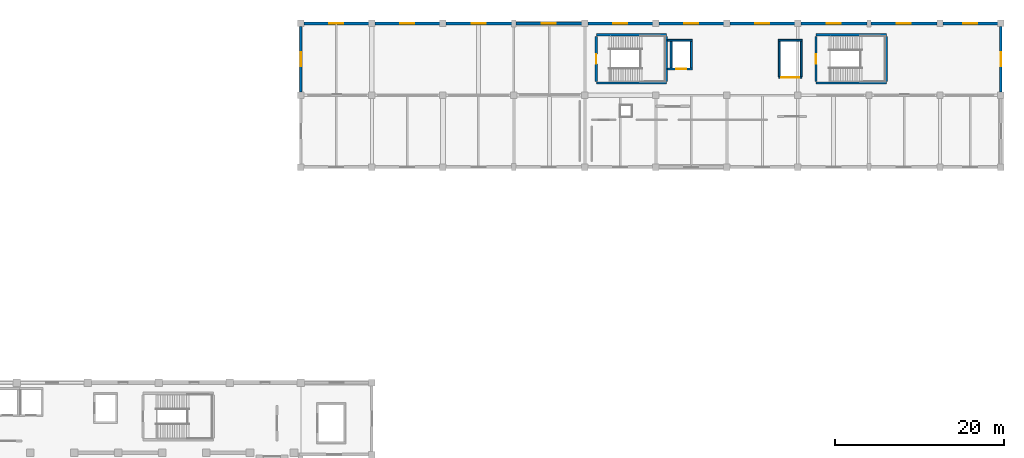
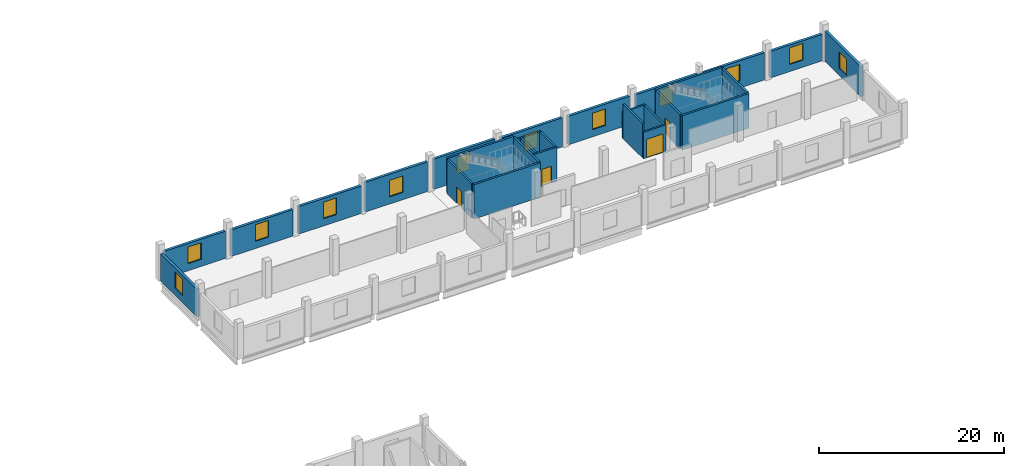
# One storey, part 68 of 77: 28 walls, 12 windows, 4 doors, 16 openings.
"""IFC4 building model written with IfcOpenShell, lengths in metres."""

import ifcopenshell
import ifcopenshell.guid

model = None  # the IFC model being written
_history = None  # IfcOwnerHistory: only IFC2X3 demands one
_inside = {}  # id of a spatial element -> (the spatial element, [elements in it])
_under = {}  # id of a project, library or spatial element -> (it, [spatial elements below it])
_declared = {}  # id of a project -> (the project, [libraries it declares])
_typed = {}  # id of a type object -> (the type object, [elements of that type])
_made_of = {}  # id of a material, layer set ... -> (it, [elements and type objects made of it])


def new_model(schema):
    """Start an empty IFC model of exactly this schema.

    Asked for "IFC4X3", IfcOpenShell would pick the latest addendum, in which some entities
    have other attributes; the version numbers below select the first issue.
    IFC2X3 requires an IfcOwnerHistory on every rooted entity: one is made here for all.
    """
    global model, _history
    if schema == "IFC4X3":
        model = ifcopenshell.file(schema_version=(4, 3, 0, 0))
    else:
        model = ifcopenshell.file(schema=schema)
    _inside.clear()
    _under.clear()
    _declared.clear()
    _typed.clear()
    _made_of.clear()
    _history = None
    if model.schema == "IFC2X3":
        org = make("IfcOrganization", Name="unknown")
        user = make(
            "IfcPersonAndOrganization",
            ThePerson=make("IfcPerson", FamilyName="unknown"),
            TheOrganization=org,
        )
        app = make(
            "IfcApplication",
            ApplicationDeveloper=org,
            Version="unknown",
            ApplicationFullName="unknown",
            ApplicationIdentifier="unknown",
        )
        _history = make(
            "IfcOwnerHistory",
            OwningUser=user,
            OwningApplication=app,
            ChangeAction="ADDED",
            CreationDate=0,
        )
    return model


def make(cls, **values):
    """One entity of the class cls with the attributes given. An attribute that is None is left unset."""
    return model.create_entity(
        cls, **{name: value for name, value in values.items() if value is not None}
    )


def rooted(cls, **values):
    """An entity with a GlobalId (a new one), such as an element, a storey or a relation."""
    return make(cls, GlobalId=ifcopenshell.guid.new(), OwnerHistory=_history, **values)


def si_unit(unit_type, name, prefix=None):
    """IfcSIUnit, for example si_unit("LENGTHUNIT", "METRE", prefix="MILLI")."""
    return make("IfcSIUnit", UnitType=unit_type, Prefix=prefix, Name=name)


def assignment(units):
    """IfcUnitAssignment: the units of a project."""
    return None if units is None else make("IfcUnitAssignment", Units=units)


def point(xyz):
    """IfcCartesianPoint."""
    return None if xyz is None else make("IfcCartesianPoint", Coordinates=xyz)


def direction(xyz):
    """IfcDirection."""
    return None if xyz is None else make("IfcDirection", DirectionRatios=xyz)


def frame(location, z_axis=None, x_axis=None):
    """IfcAxis2Placement3D, a coordinate frame: its origin and axes. An axis left out is left unset."""
    return make(
        "IfcAxis2Placement3D",
        Location=point(location),
        Axis=direction(z_axis),
        RefDirection=direction(x_axis),
    )


def frame_2d(location, x_axis=None):
    """IfcAxis2Placement2D, a coordinate frame in the plane: its origin and x axis."""
    return make(
        "IfcAxis2Placement2D", Location=point(location), RefDirection=direction(x_axis)
    )


def origin():
    """The frame at (0, 0, 0) with its axes left unset."""
    return frame((0.0, 0.0, 0.0))


def place(relative_to, where):
    """IfcLocalPlacement: puts the frame where relative to a parent placement (None: the world)."""
    return make(
        "IfcLocalPlacement", PlacementRelTo=relative_to, RelativePlacement=where
    )


def context(
    kind, dimensions, precision=None, world=None, true_north=None, identifier=None
):
    """IfcGeometricRepresentationContext, for example the 3D "Model" context."""
    return make(
        "IfcGeometricRepresentationContext",
        ContextIdentifier=identifier,
        ContextType=kind,
        CoordinateSpaceDimension=dimensions,
        Precision=precision,
        WorldCoordinateSystem=world,
        TrueNorth=true_north,
    )


def subcontext(parent, identifier, kind, view, scale=None):
    """IfcGeometricRepresentationSubContext, for example "Body" below "Model"."""
    return make(
        "IfcGeometricRepresentationSubContext",
        ContextIdentifier=identifier,
        ContextType=kind,
        ParentContext=parent,
        TargetScale=scale,
        TargetView=view,
    )


def project(units=None, contexts=None):
    """IfcProject with its units and contexts."""
    return rooted(
        "IfcProject",
        Name="project",
        RepresentationContexts=contexts,
        UnitsInContext=assignment(units),
    )


def spatial(cls, under=None, at=None, **own):
    """A site, building, storey or space (cls), placed at a placement, below another one or the project."""
    s = rooted(cls, ObjectPlacement=at, **own)
    if under is not None:
        _under.setdefault(under.id(), (under, []))[1].append(s)
    return s


def profile(cls, at=None, kind="AREA", **sizes):
    """A parametric profile (cls). Its sizes go by their IFC names, for example OverallWidth=200.0."""
    return make(cls, ProfileType=kind, Position=at, **sizes)


def rectangle(**sizes):
    """IfcRectangleProfileDef."""
    return profile("IfcRectangleProfileDef", **sizes)


def extrude(swept, where, along, depth):
    """IfcExtrudedAreaSolid: the profile swept, set in the frame where, extruded along a direction by depth."""
    return make(
        "IfcExtrudedAreaSolid",
        SweptArea=swept,
        Position=where,
        ExtrudedDirection=direction(along),
        Depth=depth,
    )


def shape(context_of_items, identifier, shape_type, items):
    """IfcShapeRepresentation: the items that make up one representation, for example the "Body"."""
    return make(
        "IfcShapeRepresentation",
        ContextOfItems=context_of_items,
        RepresentationIdentifier=identifier,
        RepresentationType=shape_type,
        Items=items,
    )


def material(Name=None, Category=None):
    """IfcMaterial."""
    return make("IfcMaterial", Name=Name, Category=Category)


def layer(
    of_material, thickness, ventilated=None, Name=None, Category=None, Priority=None
):
    """IfcMaterialLayer: one layer of a wall or slab, of a material (None: an air gap)."""
    return make(
        "IfcMaterialLayer",
        Material=of_material,
        LayerThickness=thickness,
        IsVentilated=ventilated,
        Name=Name,
        Category=Category,
        Priority=Priority,
    )


def layer_set(layers, Name=None):
    """IfcMaterialLayerSet."""
    return make("IfcMaterialLayerSet", MaterialLayers=layers, LayerSetName=Name)


def made_of(thing, what):
    """Note that an element or type object is made of a material, layer set ...; save() writes the relation."""
    if what is not None:
        _made_of.setdefault(what.id(), (what, []))[1].append(thing)
    return thing


def type_object(cls, material=None, **own):
    """A type object (cls), such as IfcWallType, which elements share."""
    return made_of(rooted(cls, **own), material)


def element(
    cls,
    number,
    at=None,
    inside=None,
    cuts=None,
    type_object=None,
    material=None,
    context=None,
    identifier="Body",
    shape_type=None,
    held_by="IfcProductDefinitionShape",
    body=None,
    shapes=None,
    **own,
):
    """One element of the class cls, such as IfcWall. Its Tag is "e" and its number.

    at: its placement. inside: the storey or other place that contains it. cuts: it is an
    opening in that element (IfcRelVoidsElement). A single representation is given by context,
    identifier, shape_type and body (its items); several are given by shapes. held_by: the class
    of the entity that holds the representations. save() writes the other relations.
    """
    e = rooted(cls, Tag="e%d" % number, ObjectPlacement=at, **own)
    if body is not None:
        shapes = [shape(context, identifier, shape_type, body)]
    if shapes is not None:
        e.Representation = make(held_by, Representations=shapes)
    if inside is not None:
        _inside.setdefault(inside.id(), (inside, []))[1].append(e)
    if cuts is not None:
        rooted(
            "IfcRelVoidsElement", RelatingBuildingElement=cuts, RelatedOpeningElement=e
        )
    if type_object is not None:
        _typed.setdefault(type_object.id(), (type_object, []))[1].append(e)
    return made_of(e, material)


def fill(opening, filler):
    """IfcRelFillsElement: the door or window that sits in an opening."""
    return rooted(
        "IfcRelFillsElement",
        RelatingOpeningElement=opening,
        RelatedBuildingElement=filler,
    )


def aggregate(whole, parts):
    """IfcRelAggregates: a whole, such as a stair, and the parts it consists of."""
    return rooted("IfcRelAggregates", RelatingObject=whole, RelatedObjects=parts)


def save(model, path):
    """Write the relations noted so far, then the file.

    IfcRelAggregates (storeys below a building ...), IfcRelContainedInSpatialStructure (elements
    in a storey), IfcRelDefinesByType, IfcRelAssociatesMaterial and IfcRelDeclares: one each for
    every whole, place, type object, material and project.
    """
    for whole, parts in _under.values():
        aggregate(whole, parts)
    for where, things in _inside.values():
        rooted(
            "IfcRelContainedInSpatialStructure",
            RelatedElements=things,
            RelatingStructure=where,
        )
    for kind, things in _typed.values():
        rooted("IfcRelDefinesByType", RelatedObjects=things, RelatingType=kind)
    for what, things in _made_of.values():
        rooted("IfcRelAssociatesMaterial", RelatedObjects=things, RelatingMaterial=what)
    for by, libraries in _declared.values():
        rooted("IfcRelDeclares", RelatingContext=by, RelatedDefinitions=libraries)
    model.write(path)


model = new_model("IFC4")

# Units and contexts
model_context = context("Model", 3, precision=1e-05, world=origin(), true_north=direction((0.0, 1.0)))
body_context = subcontext(model_context, "Body", "Model", "MODEL_VIEW")
ifc_project = project(units=[si_unit("LENGTHUNIT", "METRE"), si_unit("AREAUNIT", "SQUARE_METRE"), si_unit("VOLUMEUNIT", "CUBIC_METRE"), si_unit("PLANEANGLEUNIT", "RADIAN"), si_unit("MASSUNIT", "GRAM", prefix="KILO")], contexts=[model_context])

# Site, building, storey
site_placement = place(None, origin())
site = spatial("IfcSite", under=ifc_project, at=site_placement, CompositionType="ELEMENT")
building_placement = place(site_placement, origin())
building = spatial("IfcBuilding", under=site, at=building_placement, Name="Solvento Point Concert Hall", CompositionType="ELEMENT")
storey_placement = place(building_placement, frame((0.0, 0.0, 10.199951171875)))
storey = spatial("IfcBuildingStorey", under=building, at=storey_placement, Name="L02", CompositionType="ELEMENT", Elevation=10.199951171875)

# Walls
ifc_material_1 = material(Name="Concrete C40/50", Category="concrete")
ifc_layer_1 = layer(ifc_material_1, 0.300048828125)
ifc_layer_set_1 = layer_set([ifc_layer_1], Name="Concrete C40/50")
wall_type_1 = type_object("IfcWallType", Name="CoreShearWall_300", PredefinedType="SHEAR", material=ifc_layer_set_1)
for number, where, z_axis, x_axis, name in (
    (1, (176.449951171875, 128.949951171875, 0.0), (0.0, 0.0, 1.0), (-1.0, 0.0, 0.0), "Stair core shear wall W-SH1 ST-01 L02"),
    (2, (168.14990234375, 134.64990234375, 0.0), (0.0, 0.0, 1.0), (1.0, 0.0, 0.0), "Stair core shear wall W-SH1 ST-01 L02"),
):
    element("IfcWall", number, at=place(storey_placement, frame(where, z_axis=z_axis, x_axis=x_axis)), inside=storey, type_object=wall_type_1, Name=name, PredefinedType="SHEAR", context=body_context, shape_type="SweptSolid", body=[
        extrude(rectangle(XDim=8.300048828125, YDim=0.25, at=frame_2d((4.14990234375, 0.0))), origin(), (0.0, 0.0, 1.0), 4.5400390625),
    ])

# Wall, opening, door
wall_1_placement = place(storey_placement, frame((168.14990234375, 129.14990234375, 0.0), z_axis=(0.0, 0.0, 1.0), x_axis=(0.0, 1.0, 0.0)))
wall_1 = element("IfcWall", 3, at=wall_1_placement, inside=storey, type_object=wall_type_1, Name="Stair core shear wall W-SH1 ST-01 L02", PredefinedType="SHEAR", context=body_context, shape_type="SweptSolid", body=[
    extrude(rectangle(XDim=5.300048828125, YDim=0.25, at=frame_2d((2.64990234375, 0.0))), origin(), (0.0, 0.0, 1.0), 4.5400390625),
])
opening_1_placement = place(wall_1_placement, frame((2.074951171875, 0.0, 0.0)))
opening_1 = element("IfcOpeningElement", 4, at=opening_1_placement, cuts=wall_1, Name="Opening D-ST1", PredefinedType="OPENING", context=body_context, shape_type="SweptSolid", body=[
    extrude(rectangle(XDim=1.14990234375, YDim=2.179931640625, at=frame_2d((0.574951171875, 1.08984375))), frame((0.0, 0.135009765625, 0.0), z_axis=(0.0, -1.0, 0.0), x_axis=(1.0, 0.0, 0.0)), (0.0, 0.0, 1.0), 0.27001953125),
])
ifc_material_2 = material(Name="Hollow Metal Acoustic Fire Door")
door_type_1 = type_object("IfcDoorType", Name="StairFireDoor_1150", OperationType="NOTDEFINED", PredefinedType="DOOR", material=ifc_material_2)
door_1_placement = place(opening_1_placement, origin())
door_1 = element("IfcDoor", 5, at=door_1_placement, inside=storey, type_object=door_type_1, Name="Protected exit stair door ST-01 L02", OperationType="SINGLE_SWING_RIGHT", OverallHeight=2.179931640625, OverallWidth=1.14990234375, PredefinedType="DOOR", context=body_context, shape_type="SweptSolid", body=[
    extrude(rectangle(XDim=1.14990234375, YDim=2.179931640625, at=frame_2d((0.574951171875, 1.08984375))), frame((0.0, 0.02490234375, 0.0), z_axis=(0.0, -1.0, 0.0), x_axis=(1.0, 0.0, 0.0)), (0.0, 0.0, 1.0), 0.050048828125),
])
fill(opening_1, door_1)

# Walls
wall_2_placement = place(storey_placement, frame((176.449951171875, 134.449951171875, 0.0), z_axis=(0.0, 0.0, 1.0), x_axis=(0.0, -1.0, 0.0)))
element("IfcWall", 6, at=wall_2_placement, inside=storey, type_object=wall_type_1, Name="Stair core shear wall W-SH1 ST-01 L02", PredefinedType="SHEAR", context=body_context, shape_type="SweptSolid", body=[
    extrude(rectangle(XDim=5.300048828125, YDim=0.25, at=frame_2d((2.64990234375, 0.0))), origin(), (0.0, 0.0, 1.0), 4.5400390625),
])
for number, where, z_axis, x_axis, name in (
    (7, (202.449951171875, 128.949951171875, 0.0), (0.0, 0.0, 1.0), (-1.0, 0.0, 0.0), "Stair core shear wall W-SH1 ST-02 L02"),
    (8, (194.14990234375, 134.64990234375, 0.0), (0.0, 0.0, 1.0), (1.0, 0.0, 0.0), "Stair core shear wall W-SH1 ST-02 L02"),
):
    element("IfcWall", number, at=place(storey_placement, frame(where, z_axis=z_axis, x_axis=x_axis)), inside=storey, type_object=wall_type_1, Name=name, PredefinedType="SHEAR", context=body_context, shape_type="SweptSolid", body=[
        extrude(rectangle(XDim=8.300048828125, YDim=0.25, at=frame_2d((4.14990234375, 0.0))), origin(), (0.0, 0.0, 1.0), 4.5400390625),
    ])

# Wall, opening, door
wall_3_placement = place(storey_placement, frame((194.14990234375, 129.14990234375, 0.0), z_axis=(0.0, 0.0, 1.0), x_axis=(0.0, 1.0, 0.0)))
wall_3 = element("IfcWall", 9, at=wall_3_placement, inside=storey, type_object=wall_type_1, Name="Stair core shear wall W-SH1 ST-02 L02", PredefinedType="SHEAR", context=body_context, shape_type="SweptSolid", body=[
    extrude(rectangle(XDim=5.300048828125, YDim=0.25, at=frame_2d((2.64990234375, 0.0))), origin(), (0.0, 0.0, 1.0), 4.5400390625),
])
opening_2_placement = place(wall_3_placement, frame((2.074951171875, 0.0, 0.0)))
opening_2 = element("IfcOpeningElement", 10, at=opening_2_placement, cuts=wall_3, Name="Opening D-ST1", PredefinedType="OPENING", context=body_context, shape_type="SweptSolid", body=[
    extrude(rectangle(XDim=1.14990234375, YDim=2.179931640625, at=frame_2d((0.574951171875, 1.08984375))), frame((0.0, 0.135009765625, 0.0), z_axis=(0.0, -1.0, 0.0), x_axis=(1.0, 0.0, 0.0)), (0.0, 0.0, 1.0), 0.27001953125),
])
door_2_placement = place(opening_2_placement, origin())
door_2 = element("IfcDoor", 11, at=door_2_placement, inside=storey, type_object=door_type_1, Name="Protected exit stair door ST-02 L02", OperationType="SINGLE_SWING_LEFT", OverallHeight=2.179931640625, OverallWidth=1.14990234375, PredefinedType="DOOR", context=body_context, shape_type="SweptSolid", body=[
    extrude(rectangle(XDim=1.14990234375, YDim=2.179931640625, at=frame_2d((0.574951171875, 1.08984375))), frame((0.0, 0.02490234375, 0.0), z_axis=(0.0, -1.0, 0.0), x_axis=(1.0, 0.0, 0.0)), (0.0, 0.0, 1.0), 0.050048828125),
])
fill(opening_2, door_2)

# Wall
wall_4_placement = place(storey_placement, frame((202.449951171875, 134.449951171875, 0.0), z_axis=(0.0, 0.0, 1.0), x_axis=(0.0, -1.0, 0.0)))
element("IfcWall", 12, at=wall_4_placement, inside=storey, type_object=wall_type_1, Name="Stair core shear wall W-SH1 ST-02 L02", PredefinedType="SHEAR", context=body_context, shape_type="SweptSolid", body=[
    extrude(rectangle(XDim=5.300048828125, YDim=0.25, at=frame_2d((2.64990234375, 0.0))), origin(), (0.0, 0.0, 1.0), 4.5400390625),
])

# Wall, opening, door
wall_5_placement = place(storey_placement, frame((176.574951171875, 130.60009765625, 0.0), z_axis=(0.0, 0.0, 1.0), x_axis=(1.0, 0.0, 0.0)))
wall_5 = element("IfcWall", 13, at=wall_5_placement, inside=storey, type_object=wall_type_1, Name="Elevator shaft shear wall W-SH1 LF-01 L02", PredefinedType="SHEAR", context=body_context, shape_type="SweptSolid", body=[
    extrude(rectangle(XDim=2.93505859375, YDim=0.219970703125, at=frame_2d((1.467529296875, 0.0))), origin(), (0.0, 0.0, 1.0), 4.5400390625),
])
opening_3_placement = place(wall_5_placement, frame((1.02490234375, 0.0, 0.0)))
opening_3 = element("IfcOpeningElement", 14, at=opening_3_placement, cuts=wall_5, Name="Opening LD-01", PredefinedType="OPENING", context=body_context, shape_type="SweptSolid", body=[
    extrude(rectangle(XDim=1.199951171875, YDim=2.25, at=frame_2d((0.60009765625, 1.125))), frame((0.0, 0.119873046875, 0.0), z_axis=(0.0, -1.0, 0.0), x_axis=(1.0, 0.0, 0.0)), (0.0, 0.0, 1.0), 0.239990234375),
])
ifc_material_3 = material(Name="Hollow Metal Acoustic Fire Door")
door_type_2 = type_object("IfcDoorType", Name="LiftLandingDoor_FF", OperationType="SLIDING_TO_LEFT", PredefinedType="DOOR", material=ifc_material_3)
door_3_placement = place(opening_3_placement, origin())
door_3 = element("IfcDoor", 15, at=door_3_placement, inside=storey, type_object=door_type_2, Name="Elevator landing door LF-01 L02", OperationType="SLIDING_TO_LEFT", OverallHeight=2.25, OverallWidth=1.199951171875, PredefinedType="DOOR", context=body_context, shape_type="SweptSolid", body=[
    extrude(rectangle(XDim=1.199951171875, YDim=2.25, at=frame_2d((0.60009765625, 1.125))), frame((0.0, 0.02490234375, 0.0), z_axis=(0.0, -1.0, 0.0), x_axis=(1.0, 0.0, 0.0)), (0.0, 0.0, 1.0), 0.050048828125),
])
fill(opening_3, door_3)

# Walls
wall_6_placement = place(storey_placement, frame((176.574951171875, 134.0, 0.0), z_axis=(0.0, 0.0, 1.0), x_axis=(1.0, 0.0, 0.0)))
element("IfcWall", 16, at=wall_6_placement, inside=storey, type_object=wall_type_1, Name="Elevator shaft shear wall W-SH1 LF-01 L02", PredefinedType="SHEAR", context=body_context, shape_type="SweptSolid", body=[
    extrude(rectangle(XDim=2.93505859375, YDim=0.219970703125, at=frame_2d((1.467529296875, 0.0))), origin(), (0.0, 0.0, 1.0), 4.5400390625),
])
for number, where, z_axis, x_axis, name in (
    (17, (177.0, 130.7099609375, 0.0), (0.0, 0.0, 1.0), (0.0, 1.0, 0.0), "Elevator shaft shear wall W-SH1 LF-01 L02"),
    (18, (179.39990234375, 130.7099609375, 0.0), (0.0, 0.0, 1.0), (0.0, 1.0, 0.0), "Elevator shaft shear wall W-SH1 LF-01 L02"),
):
    element("IfcWall", number, at=place(storey_placement, frame(where, z_axis=z_axis, x_axis=x_axis)), inside=storey, type_object=wall_type_1, Name=name, PredefinedType="SHEAR", context=body_context, shape_type="SweptSolid", body=[
        extrude(rectangle(XDim=3.179931640625, YDim=0.219970703125, at=frame_2d((1.58984375, 0.0))), origin(), (0.0, 0.0, 1.0), 4.5400390625),
    ])

# Wall, opening, door
wall_7_placement = place(storey_placement, frame((189.68994140625, 129.60009765625, 0.0), z_axis=(0.0, 0.0, 1.0), x_axis=(1.0, 0.0, 0.0)))
wall_7 = element("IfcWall", 19, at=wall_7_placement, inside=storey, type_object=wall_type_1, Name="Elevator shaft shear wall W-SH1 LG-02 L02", PredefinedType="SHEAR", context=body_context, shape_type="SweptSolid", body=[
    extrude(rectangle(XDim=2.820068359375, YDim=0.219970703125, at=frame_2d((1.41015625, 0.0))), origin(), (0.0, 0.0, 1.0), 3.498046875),
])
opening_4_placement = place(wall_7_placement, frame((0.360107421875, 0.0, 0.0)))
opening_4 = element("IfcOpeningElement", 20, at=opening_4_placement, cuts=wall_7, Name="Opening LD-03", PredefinedType="OPENING", context=body_context, shape_type="SweptSolid", body=[
    extrude(rectangle(XDim=2.10009765625, YDim=2.449951171875, at=frame_2d((1.050048828125, 1.22509765625))), frame((0.0, 0.119873046875, 0.0), z_axis=(0.0, -1.0, 0.0), x_axis=(1.0, 0.0, 0.0)), (0.0, 0.0, 1.0), 0.239990234375),
])
ifc_material_4 = material(Name="Hollow Metal Acoustic Fire Door")
door_type_3 = type_object("IfcDoorType", Name="LiftLandingDoor_Goods", OperationType="DOUBLE_DOOR_SLIDING", PredefinedType="DOOR", material=ifc_material_4)
door_4_placement = place(opening_4_placement, origin())
door_4 = element("IfcDoor", 21, at=door_4_placement, inside=storey, type_object=door_type_3, Name="Elevator landing door LG-02 L02", OperationType="DOUBLE_DOOR_SLIDING", OverallHeight=2.449951171875, OverallWidth=2.10009765625, PredefinedType="DOOR", context=body_context, shape_type="SweptSolid", body=[
    extrude(rectangle(XDim=2.10009765625, YDim=2.449951171875, at=frame_2d((1.050048828125, 1.22509765625))), frame((0.0, 0.02490234375, 0.0), z_axis=(0.0, -1.0, 0.0), x_axis=(1.0, 0.0, 0.0)), (0.0, 0.0, 1.0), 0.050048828125),
])
fill(opening_4, door_4)

# Walls
wall_8_placement = place(storey_placement, frame((189.68994140625, 134.0, 0.0), z_axis=(0.0, 0.0, 1.0), x_axis=(1.0, 0.0, 0.0)))
element("IfcWall", 22, at=wall_8_placement, inside=storey, type_object=wall_type_1, Name="Elevator shaft shear wall W-SH1 LG-02 L02", PredefinedType="SHEAR", context=body_context, shape_type="SweptSolid", body=[
    extrude(rectangle(XDim=2.820068359375, YDim=0.219970703125, at=frame_2d((1.41015625, 0.0))), origin(), (0.0, 0.0, 1.0), 3.498046875),
])
wall_9_placement = place(storey_placement, frame((189.800048828125, 129.7099609375, 0.0), z_axis=(0.0, 0.0, 1.0), x_axis=(0.0, 1.0, 0.0)))
element("IfcWall", 23, at=wall_9_placement, inside=storey, type_object=wall_type_1, Name="Elevator shaft shear wall W-SH1 LG-02 L02", PredefinedType="SHEAR", context=body_context, shape_type="SweptSolid", body=[
    extrude(rectangle(XDim=4.179931640625, YDim=0.219970703125, at=frame_2d((2.08984375, 0.0))), origin(), (0.0, 0.0, 1.0), 4.5400390625),
])
wall_10_placement = place(storey_placement, frame((192.39990234375, 129.7099609375, 0.0), z_axis=(0.0, 0.0, 1.0), x_axis=(0.0, 1.0, 0.0)))
element("IfcWall", 24, at=wall_10_placement, inside=storey, type_object=wall_type_1, Name="Elevator shaft shear wall W-SH1 LG-02 L02", PredefinedType="SHEAR", context=body_context, shape_type="SweptSolid", body=[
    extrude(rectangle(XDim=4.179931640625, YDim=0.219970703125, at=frame_2d((2.08984375, 0.0))), origin(), (0.0, 0.0, 1.0), 3.498046875),
])

# Wall, opening, window
ifc_material_5 = material(Name="Concrete C35/45", Category="concrete")
ifc_layer_2 = layer(ifc_material_5, 0.330078125)
ifc_layer_set_2 = layer_set([ifc_layer_2], Name="Concrete C35/45")
wall_type_2 = type_object("IfcWallType", Name="ExtWall_V5_Plinth_330", PredefinedType="SOLIDWALL", material=ifc_layer_set_2)
wall_11_placement = place(storey_placement, frame((133.199951171875, 127.85498046875, 0.0), z_axis=(0.0, 0.0, 1.0), x_axis=(0.0, 1.0, 0.0)))
wall_11 = element("IfcWall", 25, at=wall_11_placement, inside=storey, type_object=wall_type_2, Name="Exterior architectural concrete wall EW-72 L02", PredefinedType="SOLIDWALL", context=body_context, shape_type="SweptSolid", body=[
    extrude(rectangle(XDim=7.7900390625, YDim=0.330078125, at=frame_2d((3.89501953125, 0.0))), origin(), (0.0, 0.0, 1.0), 3.6240234375),
])
opening_5_placement = place(wall_11_placement, frame((3.070068359375, 0.0, 0.949951171875)))
opening_5 = element("IfcOpeningElement", 26, at=opening_5_placement, cuts=wall_11, Name="Opening WN-22", PredefinedType="OPENING", context=body_context, shape_type="SweptSolid", body=[
    extrude(rectangle(XDim=1.64990234375, YDim=2.179931640625, at=frame_2d((0.824951171875, 1.08984375))), frame((0.0, 0.175048828125, 0.0), z_axis=(0.0, -1.0, 0.0), x_axis=(1.0, 0.0, 0.0)), (0.0, 0.0, 1.0), 0.35009765625),
])
ifc_material_6 = material(Name="Hurricane Laminated Low-E Glass", Category="glass")
window_type = type_object("IfcWindowType", Name="Win_V5_ChorusDress_L02", PartitioningType="SINGLE_PANEL", PredefinedType="WINDOW", material=ifc_material_6)
window_1_placement = place(opening_5_placement, origin())
window_1 = element("IfcWindow", 27, at=window_1_placement, inside=storey, type_object=window_type, Name="Impact acoustic window WN-22", OverallHeight=2.179931640625, OverallWidth=1.64990234375, PartitioningType="SINGLE_PANEL", PredefinedType="WINDOW", context=body_context, shape_type="SweptSolid", body=[
    extrude(rectangle(XDim=1.64990234375, YDim=2.179931640625, at=frame_2d((0.824951171875, 1.08984375))), frame((0.0, 0.030029296875, 0.0), z_axis=(0.0, -1.0, 0.0), x_axis=(1.0, 0.0, 0.0)), (0.0, 0.0, 1.0), 0.06005859375),
])
fill(opening_5, window_1)

wall_12_placement = place(storey_placement, frame((133.554931640625, 136.0, 0.0), z_axis=(0.0, 0.0, 1.0), x_axis=(1.0, 0.0, 0.0)))
wall_12 = element("IfcWall", 28, at=wall_12_placement, inside=storey, type_object=wall_type_2, Name="Exterior architectural concrete wall EW-72 L02", PredefinedType="SOLIDWALL", context=body_context, shape_type="SweptSolid", body=[
    extrude(rectangle(XDim=7.690185546875, YDim=0.330078125, at=frame_2d((3.84521484375, 0.0))), origin(), (0.0, 0.0, 1.0), 3.59716796875),
])
opening_6_placement = place(wall_12_placement, frame((3.02001953125, 0.0, 0.949951171875)))
opening_6 = element("IfcOpeningElement", 29, at=opening_6_placement, cuts=wall_12, Name="Opening WN-22", PredefinedType="OPENING", context=body_context, shape_type="SweptSolid", body=[
    extrude(rectangle(XDim=1.64990234375, YDim=2.179931640625, at=frame_2d((0.824951171875, 1.08984375))), frame((0.0, 0.175048828125, 0.0), z_axis=(0.0, -1.0, 0.0), x_axis=(1.0, 0.0, 0.0)), (0.0, 0.0, 1.0), 0.35009765625),
])
window_2_placement = place(opening_6_placement, origin())
window_2 = element("IfcWindow", 30, at=window_2_placement, inside=storey, type_object=window_type, Name="Impact acoustic window WN-22", OverallHeight=2.179931640625, OverallWidth=1.64990234375, PartitioningType="SINGLE_PANEL", PredefinedType="WINDOW", context=body_context, shape_type="SweptSolid", body=[
    extrude(rectangle(XDim=1.64990234375, YDim=2.179931640625, at=frame_2d((0.824951171875, 1.08984375))), frame((0.0, 0.030029296875, 0.0), z_axis=(0.0, -1.0, 0.0), x_axis=(1.0, 0.0, 0.0)), (0.0, 0.0, 1.0), 0.06005859375),
])
fill(opening_6, window_2)

wall_13_placement = place(storey_placement, frame((141.955078125, 136.0, 0.0), z_axis=(0.0, 0.0, 1.0), x_axis=(1.0, 0.0, 0.0)))
wall_13 = element("IfcWall", 31, at=wall_13_placement, inside=storey, type_object=wall_type_2, Name="Exterior architectural concrete wall EW-72 L02", PredefinedType="SOLIDWALL", context=body_context, shape_type="SweptSolid", body=[
    extrude(rectangle(XDim=7.68994140625, YDim=0.330078125, at=frame_2d((3.844970703125, 0.0))), origin(), (0.0, 0.0, 1.0), 3.498046875),
])
opening_7_placement = place(wall_13_placement, frame((3.02001953125, 0.0, 0.949951171875)))
opening_7 = element("IfcOpeningElement", 32, at=opening_7_placement, cuts=wall_13, Name="Opening WN-22", PredefinedType="OPENING", context=body_context, shape_type="SweptSolid", body=[
    extrude(rectangle(XDim=1.64990234375, YDim=2.179931640625, at=frame_2d((0.824951171875, 1.08984375))), frame((0.0, 0.175048828125, 0.0), z_axis=(0.0, -1.0, 0.0), x_axis=(1.0, 0.0, 0.0)), (0.0, 0.0, 1.0), 0.35009765625),
])
window_3_placement = place(opening_7_placement, origin())
window_3 = element("IfcWindow", 33, at=window_3_placement, inside=storey, type_object=window_type, Name="Impact acoustic window WN-22", OverallHeight=2.179931640625, OverallWidth=1.64990234375, PartitioningType="SINGLE_PANEL", PredefinedType="WINDOW", context=body_context, shape_type="SweptSolid", body=[
    extrude(rectangle(XDim=1.64990234375, YDim=2.179931640625, at=frame_2d((0.824951171875, 1.08984375))), frame((0.0, 0.030029296875, 0.0), z_axis=(0.0, -1.0, 0.0), x_axis=(1.0, 0.0, 0.0)), (0.0, 0.0, 1.0), 0.06005859375),
])
fill(opening_7, window_3)

wall_14_placement = place(storey_placement, frame((150.35498046875, 136.0, 0.0), z_axis=(0.0, 0.0, 1.0), x_axis=(1.0, 0.0, 0.0)))
wall_14 = element("IfcWall", 34, at=wall_14_placement, inside=storey, type_object=wall_type_2, Name="Exterior architectural concrete wall EW-72 L02", PredefinedType="SOLIDWALL", context=body_context, shape_type="SweptSolid", body=[
    extrude(rectangle(XDim=7.81494140625, YDim=0.330078125, at=frame_2d((3.907470703125, 0.0))), origin(), (0.0, 0.0, 1.0), 3.6240234375),
])
opening_8_placement = place(wall_14_placement, frame((3.08251953125, 0.0, 0.949951171875)))
opening_8 = element("IfcOpeningElement", 35, at=opening_8_placement, cuts=wall_14, Name="Opening WN-22", PredefinedType="OPENING", context=body_context, shape_type="SweptSolid", body=[
    extrude(rectangle(XDim=1.64990234375, YDim=2.179931640625, at=frame_2d((0.824951171875, 1.08984375))), frame((0.0, 0.175048828125, 0.0), z_axis=(0.0, -1.0, 0.0), x_axis=(1.0, 0.0, 0.0)), (0.0, 0.0, 1.0), 0.35009765625),
])
window_4_placement = place(opening_8_placement, origin())
window_4 = element("IfcWindow", 36, at=window_4_placement, inside=storey, type_object=window_type, Name="Impact acoustic window WN-22", OverallHeight=2.179931640625, OverallWidth=1.64990234375, PartitioningType="SINGLE_PANEL", PredefinedType="WINDOW", context=body_context, shape_type="SweptSolid", body=[
    extrude(rectangle(XDim=1.64990234375, YDim=2.179931640625, at=frame_2d((0.824951171875, 1.08984375))), frame((0.0, 0.030029296875, 0.0), z_axis=(0.0, -1.0, 0.0), x_axis=(1.0, 0.0, 0.0)), (0.0, 0.0, 1.0), 0.06005859375),
])
fill(opening_8, window_4)

wall_15_placement = place(storey_placement, frame((158.6298828125, 136.0, 0.0), z_axis=(0.0, 0.0, 1.0), x_axis=(1.0, 0.0, 0.0)))
wall_15 = element("IfcWall", 37, at=wall_15_placement, inside=storey, type_object=wall_type_2, Name="Exterior architectural concrete wall EW-72 L02", PredefinedType="SOLIDWALL", context=body_context, shape_type="SweptSolid", body=[
    extrude(rectangle(XDim=7.815185546875, YDim=0.330078125, at=frame_2d((3.90771484375, 0.0))), origin(), (0.0, 0.0, 1.0), 3.916015625),
])
opening_9_placement = place(wall_15_placement, frame((3.08251953125, 0.0, 0.949951171875)))
opening_9 = element("IfcOpeningElement", 38, at=opening_9_placement, cuts=wall_15, Name="Opening WN-22", PredefinedType="OPENING", context=body_context, shape_type="SweptSolid", body=[
    extrude(rectangle(XDim=1.64990234375, YDim=2.179931640625, at=frame_2d((0.824951171875, 1.08984375))), frame((0.0, 0.175048828125, 0.0), z_axis=(0.0, -1.0, 0.0), x_axis=(1.0, 0.0, 0.0)), (0.0, 0.0, 1.0), 0.35009765625),
])
window_5_placement = place(opening_9_placement, origin())
window_5 = element("IfcWindow", 39, at=window_5_placement, inside=storey, type_object=window_type, Name="Impact acoustic window WN-22", OverallHeight=2.179931640625, OverallWidth=1.64990234375, PartitioningType="SINGLE_PANEL", PredefinedType="WINDOW", context=body_context, shape_type="SweptSolid", body=[
    extrude(rectangle(XDim=1.64990234375, YDim=2.179931640625, at=frame_2d((0.824951171875, 1.08984375))), frame((0.0, 0.030029296875, 0.0), z_axis=(0.0, -1.0, 0.0), x_axis=(1.0, 0.0, 0.0)), (0.0, 0.0, 1.0), 0.06005859375),
])
fill(opening_9, window_5)

wall_16_placement = place(storey_placement, frame((167.155029296875, 136.0, 0.0), z_axis=(0.0, 0.0, 1.0), x_axis=(1.0, 0.0, 0.0)))
wall_16 = element("IfcWall", 40, at=wall_16_placement, inside=storey, type_object=wall_type_2, Name="Exterior architectural concrete wall EW-72 L02", PredefinedType="SOLIDWALL", context=body_context, shape_type="SweptSolid", body=[
    extrude(rectangle(XDim=7.68994140625, YDim=0.330078125, at=frame_2d((3.844970703125, 0.0))), origin(), (0.0, 0.0, 1.0), 3.97509765625),
])
opening_10_placement = place(wall_16_placement, frame((3.02001953125, 0.0, 0.949951171875)))
opening_10 = element("IfcOpeningElement", 41, at=opening_10_placement, cuts=wall_16, Name="Opening WN-22", PredefinedType="OPENING", context=body_context, shape_type="SweptSolid", body=[
    extrude(rectangle(XDim=1.64990234375, YDim=2.179931640625, at=frame_2d((0.824951171875, 1.08984375))), frame((0.0, 0.175048828125, 0.0), z_axis=(0.0, -1.0, 0.0), x_axis=(1.0, 0.0, 0.0)), (0.0, 0.0, 1.0), 0.35009765625),
])
window_6_placement = place(opening_10_placement, origin())
window_6 = element("IfcWindow", 42, at=window_6_placement, inside=storey, type_object=window_type, Name="Impact acoustic window WN-22", OverallHeight=2.179931640625, OverallWidth=1.64990234375, PartitioningType="SINGLE_PANEL", PredefinedType="WINDOW", context=body_context, shape_type="SweptSolid", body=[
    extrude(rectangle(XDim=1.64990234375, YDim=2.179931640625, at=frame_2d((0.824951171875, 1.08984375))), frame((0.0, 0.030029296875, 0.0), z_axis=(0.0, -1.0, 0.0), x_axis=(1.0, 0.0, 0.0)), (0.0, 0.0, 1.0), 0.06005859375),
])
fill(opening_10, window_6)

wall_17_placement = place(storey_placement, frame((175.554931640625, 136.0, 0.0), z_axis=(0.0, 0.0, 1.0), x_axis=(1.0, 0.0, 0.0)))
wall_17 = element("IfcWall", 43, at=wall_17_placement, inside=storey, type_object=wall_type_2, Name="Exterior architectural concrete wall EW-72 L02", PredefinedType="SOLIDWALL", context=body_context, shape_type="SweptSolid", body=[
    extrude(rectangle(XDim=7.690185546875, YDim=0.330078125, at=frame_2d((3.84521484375, 0.0))), origin(), (0.0, 0.0, 1.0), 3.8310546875),
])
opening_11_placement = place(wall_17_placement, frame((3.02001953125, 0.0, 0.949951171875)))
opening_11 = element("IfcOpeningElement", 44, at=opening_11_placement, cuts=wall_17, Name="Opening WN-22", PredefinedType="OPENING", context=body_context, shape_type="SweptSolid", body=[
    extrude(rectangle(XDim=1.64990234375, YDim=2.179931640625, at=frame_2d((0.824951171875, 1.08984375))), frame((0.0, 0.175048828125, 0.0), z_axis=(0.0, -1.0, 0.0), x_axis=(1.0, 0.0, 0.0)), (0.0, 0.0, 1.0), 0.35009765625),
])
window_7_placement = place(opening_11_placement, origin())
window_7 = element("IfcWindow", 45, at=window_7_placement, inside=storey, type_object=window_type, Name="Impact acoustic window WN-22", OverallHeight=2.179931640625, OverallWidth=1.64990234375, PartitioningType="SINGLE_PANEL", PredefinedType="WINDOW", context=body_context, shape_type="SweptSolid", body=[
    extrude(rectangle(XDim=1.64990234375, YDim=2.179931640625, at=frame_2d((0.824951171875, 1.08984375))), frame((0.0, 0.030029296875, 0.0), z_axis=(0.0, -1.0, 0.0), x_axis=(1.0, 0.0, 0.0)), (0.0, 0.0, 1.0), 0.06005859375),
])
fill(opening_11, window_7)

wall_18_placement = place(storey_placement, frame((183.955078125, 136.0, 0.0), z_axis=(0.0, 0.0, 1.0), x_axis=(1.0, 0.0, 0.0)))
wall_18 = element("IfcWall", 46, at=wall_18_placement, inside=storey, type_object=wall_type_2, Name="Exterior architectural concrete wall EW-72 L02", PredefinedType="SOLIDWALL", context=body_context, shape_type="SweptSolid", body=[
    extrude(rectangle(XDim=7.68994140625, YDim=0.330078125, at=frame_2d((3.844970703125, 0.0))), origin(), (0.0, 0.0, 1.0), 3.754150390625),
])
opening_12_placement = place(wall_18_placement, frame((3.02001953125, 0.0, 0.949951171875)))
opening_12 = element("IfcOpeningElement", 47, at=opening_12_placement, cuts=wall_18, Name="Opening WN-22", PredefinedType="OPENING", context=body_context, shape_type="SweptSolid", body=[
    extrude(rectangle(XDim=1.64990234375, YDim=2.179931640625, at=frame_2d((0.824951171875, 1.08984375))), frame((0.0, 0.175048828125, 0.0), z_axis=(0.0, -1.0, 0.0), x_axis=(1.0, 0.0, 0.0)), (0.0, 0.0, 1.0), 0.35009765625),
])
window_8_placement = place(opening_12_placement, origin())
window_8 = element("IfcWindow", 48, at=window_8_placement, inside=storey, type_object=window_type, Name="Impact acoustic window WN-22", OverallHeight=2.179931640625, OverallWidth=1.64990234375, PartitioningType="SINGLE_PANEL", PredefinedType="WINDOW", context=body_context, shape_type="SweptSolid", body=[
    extrude(rectangle(XDim=1.64990234375, YDim=2.179931640625, at=frame_2d((0.824951171875, 1.08984375))), frame((0.0, 0.030029296875, 0.0), z_axis=(0.0, -1.0, 0.0), x_axis=(1.0, 0.0, 0.0)), (0.0, 0.0, 1.0), 0.06005859375),
])
fill(opening_12, window_8)

wall_19_placement = place(storey_placement, frame((192.35498046875, 136.0, 0.0), z_axis=(0.0, 0.0, 1.0), x_axis=(1.0, 0.0, 0.0)))
wall_19 = element("IfcWall", 49, at=wall_19_placement, inside=storey, type_object=wall_type_2, Name="Exterior architectural concrete wall EW-72 L02", PredefinedType="SOLIDWALL", context=body_context, shape_type="SweptSolid", body=[
    extrude(rectangle(XDim=7.81494140625, YDim=0.330078125, at=frame_2d((3.907470703125, 0.0))), origin(), (0.0, 0.0, 1.0), 3.6650390625),
])
opening_13_placement = place(wall_19_placement, frame((3.08251953125, 0.0, 0.949951171875)))
opening_13 = element("IfcOpeningElement", 50, at=opening_13_placement, cuts=wall_19, Name="Opening WN-22", PredefinedType="OPENING", context=body_context, shape_type="SweptSolid", body=[
    extrude(rectangle(XDim=1.64990234375, YDim=2.179931640625, at=frame_2d((0.824951171875, 1.08984375))), frame((0.0, 0.175048828125, 0.0), z_axis=(0.0, -1.0, 0.0), x_axis=(1.0, 0.0, 0.0)), (0.0, 0.0, 1.0), 0.35009765625),
])
window_9_placement = place(opening_13_placement, origin())
window_9 = element("IfcWindow", 51, at=window_9_placement, inside=storey, type_object=window_type, Name="Impact acoustic window WN-22", OverallHeight=2.179931640625, OverallWidth=1.64990234375, PartitioningType="SINGLE_PANEL", PredefinedType="WINDOW", context=body_context, shape_type="SweptSolid", body=[
    extrude(rectangle(XDim=1.64990234375, YDim=2.179931640625, at=frame_2d((0.824951171875, 1.08984375))), frame((0.0, 0.030029296875, 0.0), z_axis=(0.0, -1.0, 0.0), x_axis=(1.0, 0.0, 0.0)), (0.0, 0.0, 1.0), 0.06005859375),
])
fill(opening_13, window_9)

wall_20_placement = place(storey_placement, frame((200.6298828125, 136.0, 0.0), z_axis=(0.0, 0.0, 1.0), x_axis=(1.0, 0.0, 0.0)))
wall_20 = element("IfcWall", 52, at=wall_20_placement, inside=storey, type_object=wall_type_2, Name="Exterior architectural concrete wall EW-72 L02", PredefinedType="SOLIDWALL", context=body_context, shape_type="SweptSolid", body=[
    extrude(rectangle(XDim=7.815185546875, YDim=0.330078125, at=frame_2d((3.90771484375, 0.0))), origin(), (0.0, 0.0, 1.0), 3.59716796875),
])
opening_14_placement = place(wall_20_placement, frame((3.08251953125, 0.0, 0.949951171875)))
opening_14 = element("IfcOpeningElement", 53, at=opening_14_placement, cuts=wall_20, Name="Opening WN-22", PredefinedType="OPENING", context=body_context, shape_type="SweptSolid", body=[
    extrude(rectangle(XDim=1.64990234375, YDim=2.179931640625, at=frame_2d((0.824951171875, 1.08984375))), frame((0.0, 0.175048828125, 0.0), z_axis=(0.0, -1.0, 0.0), x_axis=(1.0, 0.0, 0.0)), (0.0, 0.0, 1.0), 0.35009765625),
])
window_10_placement = place(opening_14_placement, origin())
window_10 = element("IfcWindow", 54, at=window_10_placement, inside=storey, type_object=window_type, Name="Impact acoustic window WN-22", OverallHeight=2.179931640625, OverallWidth=1.64990234375, PartitioningType="SINGLE_PANEL", PredefinedType="WINDOW", context=body_context, shape_type="SweptSolid", body=[
    extrude(rectangle(XDim=1.64990234375, YDim=2.179931640625, at=frame_2d((0.824951171875, 1.08984375))), frame((0.0, 0.030029296875, 0.0), z_axis=(0.0, -1.0, 0.0), x_axis=(1.0, 0.0, 0.0)), (0.0, 0.0, 1.0), 0.06005859375),
])
fill(opening_14, window_10)

wall_21_placement = place(storey_placement, frame((209.155029296875, 136.0, 0.0), z_axis=(0.0, 0.0, 1.0), x_axis=(1.0, 0.0, 0.0)))
wall_21 = element("IfcWall", 55, at=wall_21_placement, inside=storey, type_object=wall_type_2, Name="Exterior architectural concrete wall EW-72 L02", PredefinedType="SOLIDWALL", context=body_context, shape_type="SweptSolid", body=[
    extrude(rectangle(XDim=6.489990234375, YDim=0.330078125, at=frame_2d((3.2451171875, 0.0))), origin(), (0.0, 0.0, 1.0), 3.498046875),
])
opening_15_placement = place(wall_21_placement, frame((2.419921875, 0.0, 0.949951171875)))
opening_15 = element("IfcOpeningElement", 56, at=opening_15_placement, cuts=wall_21, Name="Opening WN-22", PredefinedType="OPENING", context=body_context, shape_type="SweptSolid", body=[
    extrude(rectangle(XDim=1.64990234375, YDim=2.179931640625, at=frame_2d((0.824951171875, 1.08984375))), frame((0.0, 0.175048828125, 0.0), z_axis=(0.0, -1.0, 0.0), x_axis=(1.0, 0.0, 0.0)), (0.0, 0.0, 1.0), 0.35009765625),
])
window_11_placement = place(opening_15_placement, origin())
window_11 = element("IfcWindow", 57, at=window_11_placement, inside=storey, type_object=window_type, Name="Impact acoustic window WN-22", OverallHeight=2.179931640625, OverallWidth=1.64990234375, PartitioningType="SINGLE_PANEL", PredefinedType="WINDOW", context=body_context, shape_type="SweptSolid", body=[
    extrude(rectangle(XDim=1.64990234375, YDim=2.179931640625, at=frame_2d((0.824951171875, 1.08984375))), frame((0.0, 0.030029296875, 0.0), z_axis=(0.0, -1.0, 0.0), x_axis=(1.0, 0.0, 0.0)), (0.0, 0.0, 1.0), 0.06005859375),
])
fill(opening_15, window_11)

wall_22_placement = place(storey_placement, frame((216.0, 135.64501953125, 0.0), z_axis=(0.0, 0.0, 1.0), x_axis=(0.0, -1.0, 0.0)))
wall_22 = element("IfcWall", 58, at=wall_22_placement, inside=storey, type_object=wall_type_2, Name="Exterior architectural concrete wall EW-72 L02", PredefinedType="SOLIDWALL", context=body_context, shape_type="SweptSolid", body=[
    extrude(rectangle(XDim=7.7900390625, YDim=0.330078125, at=frame_2d((3.89501953125, 0.0))), origin(), (0.0, 0.0, 1.0), 3.97509765625),
])
opening_16_placement = place(wall_22_placement, frame((3.070068359375, 0.0, 0.949951171875)))
opening_16 = element("IfcOpeningElement", 59, at=opening_16_placement, cuts=wall_22, Name="Opening WN-22", PredefinedType="OPENING", context=body_context, shape_type="SweptSolid", body=[
    extrude(rectangle(XDim=1.64990234375, YDim=2.179931640625, at=frame_2d((0.824951171875, 1.08984375))), frame((0.0, 0.175048828125, 0.0), z_axis=(0.0, -1.0, 0.0), x_axis=(1.0, 0.0, 0.0)), (0.0, 0.0, 1.0), 0.35009765625),
])
window_12_placement = place(opening_16_placement, origin())
window_12 = element("IfcWindow", 60, at=window_12_placement, inside=storey, type_object=window_type, Name="Impact acoustic window WN-22", OverallHeight=2.179931640625, OverallWidth=1.64990234375, PartitioningType="SINGLE_PANEL", PredefinedType="WINDOW", context=body_context, shape_type="SweptSolid", body=[
    extrude(rectangle(XDim=1.64990234375, YDim=2.179931640625, at=frame_2d((0.824951171875, 1.08984375))), frame((0.0, 0.030029296875, 0.0), z_axis=(0.0, -1.0, 0.0), x_axis=(1.0, 0.0, 0.0)), (0.0, 0.0, 1.0), 0.06005859375),
])
fill(opening_16, window_12)

save(model, "model.ifc")
